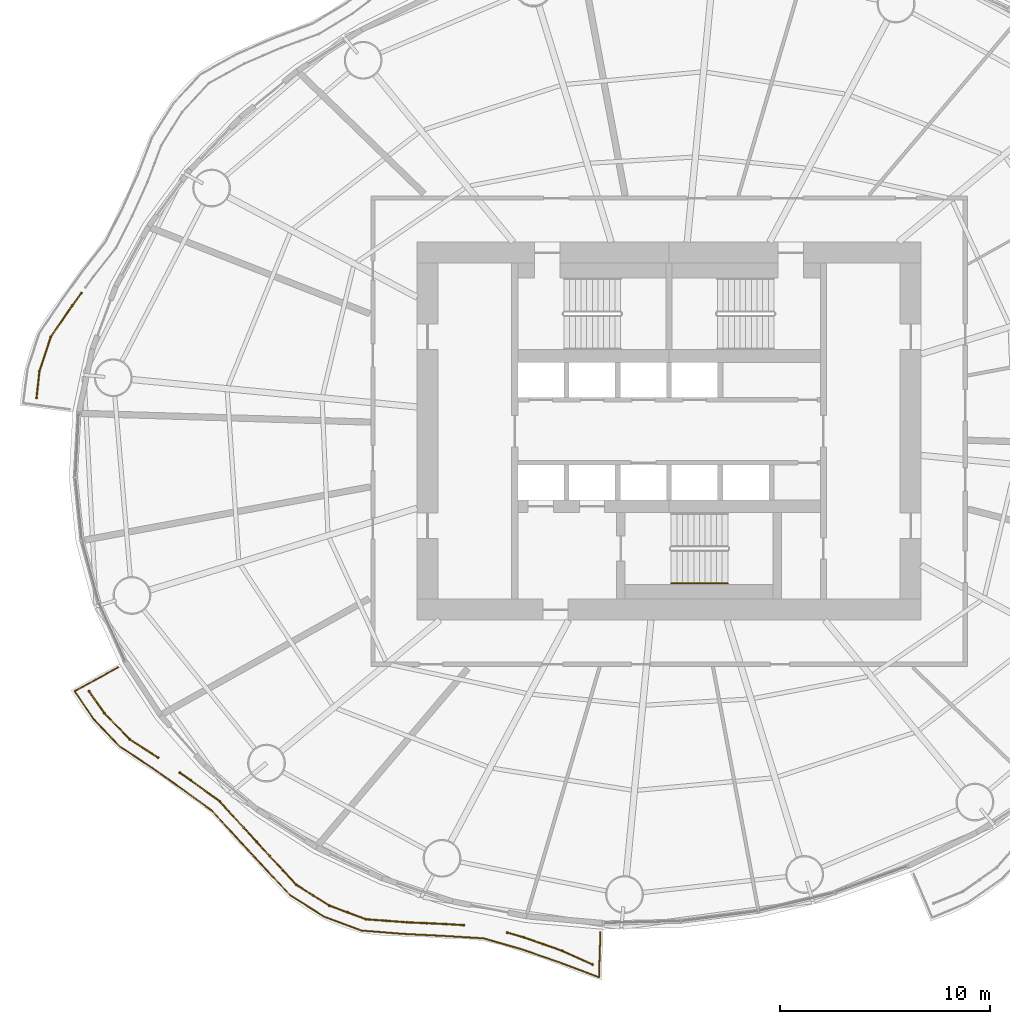
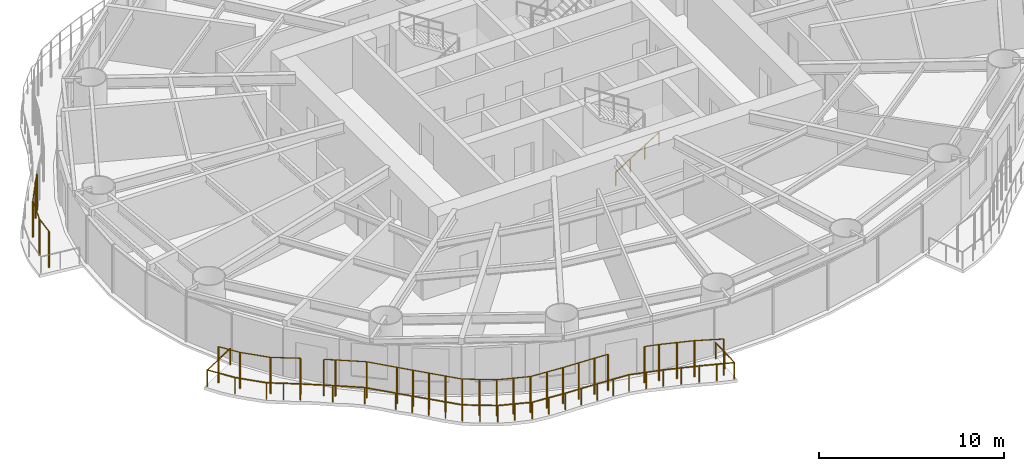
# One storey, part 12 of 17: 6 railings.
"""IFC4 building model written with IfcOpenShell, lengths in metres."""

from ifc_helpers import new_model, si_unit, direction, frame, origin, origin_2d, place, context, subcontext, project, spatial, circle, extrude, material, type_object, element, save


model = new_model("IFC4")

# Units and contexts
model_context = context("Model", 3, precision=1e-05, world=origin(), true_north=direction((0.0, 1.0)))
body_context = subcontext(model_context, "Body", "Model", "MODEL_VIEW")
ifc_project = project(units=[si_unit("LENGTHUNIT", "METRE"), si_unit("AREAUNIT", "SQUARE_METRE"), si_unit("VOLUMEUNIT", "CUBIC_METRE"), si_unit("PLANEANGLEUNIT", "RADIAN"), si_unit("MASSUNIT", "GRAM", prefix="KILO")], contexts=[model_context])

# Site, building, storey
site_placement = place(None, origin())
site = spatial("IfcSite", under=ifc_project, at=site_placement, CompositionType="ELEMENT")
building_placement = place(site_placement, origin())
building = spatial("IfcBuilding", under=site, at=building_placement, Name="Vermilion Reach Broadcast Tower", CompositionType="ELEMENT")
storey_placement = place(building_placement, frame((0.0, 0.0, 76.699951171875)))
storey = spatial("IfcBuildingStorey", under=building, at=storey_placement, Name="L16", CompositionType="ELEMENT", Elevation=76.699951171875)

# Railings
ifc_material_1 = material(Name="Terracotta baguette", Category="masonry")
railing_type_1 = type_object("IfcRailingType", Name="BAGUETTE SCREEN", PredefinedType="USERDEFINED", material=ifc_material_1)
railing_1_placement = place(storey_placement, frame((-33.982177734375, 6.573486328125, 0.0)))
element("IfcRailing", 1, at=railing_1_placement, inside=storey, type_object=railing_type_1, Name="Baguette screen L16 group 2 part 2", ObjectType="BAGUETTE SCREEN", PredefinedType="USERDEFINED", context=body_context, shape_type="SweptSolid", body=[
    extrude(circle(Radius=0.030029296875, at=origin_2d()), frame((0.0, 0.0, 2.369873046875), z_axis=(-0.588751770533, -0.808313894903, 0.0), x_axis=(0.808313894903, -0.588751770533, 0.0)), (0.0, 0.0, 1.0), 0.75048828125),
    extrude(circle(Radius=0.030029296875, at=origin_2d()), frame((-0.44189453125, -0.606689453125, 2.369873046875), z_axis=(-0.5656287129, -0.8246600264, 0.0), x_axis=(0.8246600264, -0.5656287129, 0.0)), (0.0, 0.0, 1.0), 1.79638671875),
    extrude(circle(Radius=0.030029296875, at=origin_2d()), frame((-1.4580078125, -2.088134765625, 2.369873046875), z_axis=(-0.312307035395, -0.949981218574, 0.0), x_axis=(0.949981218574, -0.312307035395, 0.0)), (0.0, 0.0, 1.0), 1.7197265625),
    extrude(circle(Radius=0.030029296875, at=origin_2d()), frame((-1.9951171875, -3.721923828125, 2.369873046875), z_axis=(-0.108708860674, -0.99407363088, 0.0), x_axis=(0.99407363088, -0.108708860674, 0.0)), (0.0, 0.0, 1.0), 1.275634765625),
    extrude(circle(Radius=0.050048828125, at=origin_2d()), origin(), (0.0, 0.0, 1.0), 2.33984375),
    extrude(circle(Radius=0.050048828125, at=origin_2d()), frame((-0.44189453125, -0.606689453125, 0.0)), (0.0, 0.0, 1.0), 2.33984375),
    extrude(circle(Radius=0.050048828125, at=origin_2d()), frame((-1.4580078125, -2.088134765625, 0.0)), (0.0, 0.0, 1.0), 2.33984375),
    extrude(circle(Radius=0.050048828125, at=origin_2d()), frame((-1.9951171875, -3.721923828125, 0.0)), (0.0, 0.0, 1.0), 2.33984375),
    extrude(circle(Radius=0.050048828125, at=origin_2d()), frame((-2.1337890625, -4.989990234375, 0.0)), (0.0, 0.0, 1.0), 2.33984375),
])
railing_2_placement = place(storey_placement, frame((-33.616455078125, -12.3798828125, 0.0)))
element("IfcRailing", 2, at=railing_2_placement, inside=storey, type_object=railing_type_1, Name="Baguette screen L16 group 3 part 1", ObjectType="BAGUETTE SCREEN", PredefinedType="USERDEFINED", context=body_context, shape_type="SweptSolid", body=[
    extrude(circle(Radius=0.030029296875, at=origin_2d()), frame((0.0, 0.0, 2.369873046875), z_axis=(0.572641620262, -0.819805815266, 0.0), x_axis=(0.819805815266, 0.572641620262, 0.0)), (0.0, 0.0, 1.0), 1.278076171875),
    extrude(circle(Radius=0.030029296875, at=origin_2d()), frame((0.73193359375, -1.0478515625, 2.369873046875), z_axis=(0.694836822785, -0.719167428143, 0.0), x_axis=(0.719167428143, 0.694836822785, 0.0)), (0.0, 0.0, 1.0), 1.725830078125),
    extrude(circle(Radius=0.030029296875, at=origin_2d()), frame((1.93115234375, -2.2890625, 2.369873046875), z_axis=(0.840316668668, -0.542095836876, 0.0), x_axis=(0.542095836876, 0.840316668668, 0.0)), (0.0, 0.0, 1.0), 1.61279296875),
    extrude(circle(Radius=0.050048828125, at=origin_2d()), origin(), (0.0, 0.0, 1.0), 2.33984375),
    extrude(circle(Radius=0.050048828125, at=origin_2d()), frame((0.73193359375, -1.0478515625, 0.0)), (0.0, 0.0, 1.0), 2.33984375),
    extrude(circle(Radius=0.050048828125, at=origin_2d()), frame((1.93115234375, -2.2890625, 0.0)), (0.0, 0.0, 1.0), 2.33984375),
    extrude(circle(Radius=0.050048828125, at=origin_2d()), frame((3.286376953125, -3.163330078125, 0.0)), (0.0, 0.0, 1.0), 2.33984375),
])
railing_3_placement = place(storey_placement, frame((-29.292724609375, -16.260986328125, 0.0)))
element("IfcRailing", 3, at=railing_3_placement, inside=storey, type_object=railing_type_1, Name="Baguette screen L16 group 3 part 2", ObjectType="BAGUETTE SCREEN", PredefinedType="USERDEFINED", context=body_context, shape_type="SweptSolid", body=[
    extrude(circle(Radius=0.030029296875, at=origin_2d()), frame((0.0, 0.0, 2.369873046875), z_axis=(0.819250221702, -0.573436198928, 0.0), x_axis=(0.573436198928, 0.819250221702, 0.0)), (0.0, 0.0, 1.0), 0.626708984375),
    extrude(circle(Radius=0.030029296875, at=origin_2d()), frame((0.513427734375, -0.359375, 2.369873046875), z_axis=(0.809484556963, -0.587141168748, 0.0), x_axis=(0.587141168748, 0.809484556963, 0.0)), (0.0, 0.0, 1.0), 1.705322265625),
    extrude(circle(Radius=0.030029296875, at=origin_2d()), frame((1.893798828125, -1.360595703125, 2.369873046875), z_axis=(0.673308870156, -0.739361322608, 0.0), x_axis=(0.739361322608, 0.673308870156, 0.0)), (0.0, 0.0, 1.0), 1.71875),
    extrude(circle(Radius=0.030029296875, at=origin_2d()), frame((3.051025390625, -2.63134765625, 2.369873046875), z_axis=(0.675474172615, -0.737383646503, 0.0), x_axis=(0.737383646503, 0.675474172615, 0.0)), (0.0, 0.0, 1.0), 1.81005859375),
    extrude(circle(Radius=0.030029296875, at=origin_2d()), frame((4.273681640625, -3.966064453125, 2.369873046875), z_axis=(0.679121232184, -0.734026124873, 0.0), x_axis=(0.734026124873, 0.679121232184, 0.0)), (0.0, 0.0, 1.0), 1.86767578125),
    extrude(circle(Radius=0.030029296875, at=origin_2d()), frame((5.5419921875, -5.3369140625, 2.369873046875), z_axis=(0.846427430177, -0.532504089603, 0.0), x_axis=(0.532504089603, 0.846427430177, 0.0)), (0.0, 0.0, 1.0), 1.8642578125),
    extrude(circle(Radius=0.030029296875, at=origin_2d()), frame((7.119873046875, -6.32958984375, 2.369873046875), z_axis=(0.937008671562, -0.349306097023, 0.0), x_axis=(0.349306097023, 0.937008671562, 0.0)), (0.0, 0.0, 1.0), 1.855712890625),
    extrude(circle(Radius=0.030029296875, at=origin_2d()), frame((8.858642578125, -6.977783203125, 2.369873046875), z_axis=(0.997196504836, -0.074827339541, 0.0), x_axis=(0.074827339541, 0.997196504836, 0.0)), (0.0, 0.0, 1.0), 1.94775390625),
    extrude(circle(Radius=0.030029296875, at=origin_2d()), frame((10.801025390625, -7.12353515625, 2.369873046875), z_axis=(0.998986752856, -0.045005195456, 0.0), x_axis=(0.045005195456, 0.998986752856, 0.0)), (0.0, 0.0, 1.0), 1.898681640625),
    extrude(circle(Radius=0.030029296875, at=origin_2d()), frame((12.69775390625, -7.208984375, 2.369873046875), z_axis=(0.998294748437, -0.058374611292, 0.0), x_axis=(0.058374611292, 0.998294748437, 0.0)), (0.0, 0.0, 1.0), 0.823974609375),
    extrude(circle(Radius=0.050048828125, at=origin_2d()), origin(), (0.0, 0.0, 1.0), 2.33984375),
    extrude(circle(Radius=0.050048828125, at=origin_2d()), frame((0.513427734375, -0.359375, 0.0)), (0.0, 0.0, 1.0), 2.33984375),
    extrude(circle(Radius=0.050048828125, at=origin_2d()), frame((1.893798828125, -1.360595703125, 0.0)), (0.0, 0.0, 1.0), 2.33984375),
    extrude(circle(Radius=0.050048828125, at=origin_2d()), frame((3.051025390625, -2.63134765625, 0.0)), (0.0, 0.0, 1.0), 2.33984375),
    extrude(circle(Radius=0.050048828125, at=origin_2d()), frame((3.662353515625, -3.298828125, 0.0)), (0.0, 0.0, 1.0), 2.33984375),
    extrude(circle(Radius=0.050048828125, at=origin_2d()), frame((4.273681640625, -3.966064453125, 0.0)), (0.0, 0.0, 1.0), 2.33984375),
    extrude(circle(Radius=0.050048828125, at=origin_2d()), frame((4.90771484375, -4.6513671875, 0.0)), (0.0, 0.0, 1.0), 2.33984375),
    extrude(circle(Radius=0.050048828125, at=origin_2d()), frame((5.5419921875, -5.3369140625, 0.0)), (0.0, 0.0, 1.0), 2.33984375),
    extrude(circle(Radius=0.050048828125, at=origin_2d()), frame((6.3310546875, -5.833251953125, 0.0)), (0.0, 0.0, 1.0), 2.33984375),
    extrude(circle(Radius=0.050048828125, at=origin_2d()), frame((7.119873046875, -6.32958984375, 0.0)), (0.0, 0.0, 1.0), 2.33984375),
    extrude(circle(Radius=0.050048828125, at=origin_2d()), frame((7.9892578125, -6.65380859375, 0.0)), (0.0, 0.0, 1.0), 2.33984375),
    extrude(circle(Radius=0.050048828125, at=origin_2d()), frame((8.858642578125, -6.977783203125, 0.0)), (0.0, 0.0, 1.0), 2.33984375),
    extrude(circle(Radius=0.050048828125, at=origin_2d()), frame((9.829833984375, -7.05078125, 0.0)), (0.0, 0.0, 1.0), 2.33984375),
    extrude(circle(Radius=0.050048828125, at=origin_2d()), frame((10.801025390625, -7.12353515625, 0.0)), (0.0, 0.0, 1.0), 2.33984375),
    extrude(circle(Radius=0.050048828125, at=origin_2d()), frame((11.74951171875, -7.166259765625, 0.0)), (0.0, 0.0, 1.0), 2.33984375),
    extrude(circle(Radius=0.050048828125, at=origin_2d()), frame((12.69775390625, -7.208984375, 0.0)), (0.0, 0.0, 1.0), 2.33984375),
    extrude(circle(Radius=0.050048828125, at=origin_2d()), frame((13.520263671875, -7.257080078125, 0.0)), (0.0, 0.0, 1.0), 2.33984375),
])
railing_4_placement = place(storey_placement, frame((-13.70166015625, -23.872314453125, 0.0)))
element("IfcRailing", 4, at=railing_4_placement, inside=storey, type_object=railing_type_1, Name="Baguette screen L16 group 3 part 3", ObjectType="BAGUETTE SCREEN", PredefinedType="USERDEFINED", context=body_context, shape_type="SweptSolid", body=[
    extrude(circle(Radius=0.030029296875, at=origin_2d()), frame((0.0, 0.0, 2.369873046875), z_axis=(0.960712397231, -0.277545833704, 0.0), x_axis=(0.277545833704, 0.960712397231, 0.0)), (0.0, 0.0, 1.0), 0.81005859375),
    extrude(circle(Radius=0.030029296875, at=origin_2d()), frame((0.7783203125, -0.224853515625, 2.369873046875), z_axis=(0.943484505541, -0.331416637791, 0.0), x_axis=(0.331416637791, 0.943484505541, 0.0)), (0.0, 0.0, 1.0), 1.94775390625),
    extrude(circle(Radius=0.030029296875, at=origin_2d()), frame((2.615966796875, -0.870361328125, 2.369873046875), z_axis=(0.911348161786, -0.411636402678, 0.0), x_axis=(0.411636402678, 0.911348161786, 0.0)), (0.0, 0.0, 1.0), 1.580078125),
    extrude(circle(Radius=0.050048828125, at=origin_2d()), origin(), (0.0, 0.0, 1.0), 2.33984375),
    extrude(circle(Radius=0.050048828125, at=origin_2d()), frame((0.7783203125, -0.224853515625, 0.0)), (0.0, 0.0, 1.0), 2.33984375),
    extrude(circle(Radius=0.050048828125, at=origin_2d()), frame((1.697265625, -0.547607421875, 0.0)), (0.0, 0.0, 1.0), 2.33984375),
    extrude(circle(Radius=0.050048828125, at=origin_2d()), frame((2.615966796875, -0.870361328125, 0.0)), (0.0, 0.0, 1.0), 2.33984375),
    extrude(circle(Radius=0.050048828125, at=origin_2d()), frame((4.055908203125, -1.520751953125, 0.0)), (0.0, 0.0, 1.0), 2.33984375),
])
ifc_material_2 = material(Name="Stainless steel 316 balustrade", Category="steel")
railing_type_2 = type_object("IfcRailingType", Name="Balcony guard 1100", PredefinedType="BALUSTRADE", material=ifc_material_2)
railing_5_placement = place(storey_placement, frame((-32.23046875, -11.248291015625, 0.0)))
element("IfcRailing", 5, at=railing_5_placement, inside=storey, type_object=railing_type_2, Name="Balcony guard L16 group 3", PredefinedType="BALUSTRADE", context=body_context, shape_type="SweptSolid", body=[
    extrude(circle(Radius=0.02490234375, at=origin_2d()), frame((0.0, 0.0, 1.0751953125), z_axis=(-0.877694240648, -0.479221055394, 0.0), x_axis=(0.479221055394, -0.877694240648, 0.0)), (0.0, 0.0, 1.0), 2.3642578125),
    extrude(circle(Radius=0.02490234375, at=origin_2d()), frame((-2.0751953125, -1.133056640625, 1.0751953125), z_axis=(0.565763731461, -0.824567401832, 0.0), x_axis=(0.824567401832, 0.565763731461, 0.0)), (0.0, 0.0, 1.0), 1.65283203125),
    extrude(circle(Radius=0.02490234375, at=origin_2d()), frame((-1.14013671875, -2.495849609375, 1.0751953125), z_axis=(0.692112201365, -0.721789928388, 0.0), x_axis=(0.721789928388, 0.692112201365, 0.0)), (0.0, 0.0, 1.0), 1.7685546875),
    extrude(circle(Radius=0.02490234375, at=origin_2d()), frame((0.083984375, -3.7724609375, 1.0751953125), z_axis=(0.836404346355, -0.54811291665, 0.0), x_axis=(0.54811291665, 0.836404346355, 0.0)), (0.0, 0.0, 1.0), 1.835205078125),
    extrude(circle(Radius=0.02490234375, at=origin_2d()), frame((1.618896484375, -4.7783203125, 1.0751953125), z_axis=(0.816630860446, -0.577160322413, 0.0), x_axis=(0.577160322413, 0.816630860446, 0.0)), (0.0, 0.0, 1.0), 1.747314453125),
    extrude(circle(Radius=0.02490234375, at=origin_2d()), frame((3.0458984375, -5.786865234375, 1.0751953125), z_axis=(0.807931262746, -0.589276738619, 0.0), x_axis=(0.589276738619, 0.807931262746, 0.0)), (0.0, 0.0, 1.0), 1.746337890625),
    extrude(circle(Radius=0.02490234375, at=origin_2d()), frame((4.456787109375, -6.81591796875, 1.0751953125), z_axis=(0.676032773162, -0.736871555707, 0.0), x_axis=(0.736871555707, 0.676032773162, 0.0)), (0.0, 0.0, 1.0), 1.757568359375),
    extrude(circle(Radius=0.02490234375, at=origin_2d()), frame((5.64501953125, -8.111083984375, 1.0751953125), z_axis=(0.678888904521, -0.73424100629, 0.0), x_axis=(0.73424100629, 0.678888904521, 0.0)), (0.0, 0.0, 1.0), 1.84814453125),
    extrude(circle(Radius=0.02490234375, at=origin_2d()), frame((6.899658203125, -9.468017578125, 1.0751953125), z_axis=(0.683240985892, -0.73019295751, 0.0), x_axis=(0.73019295751, 0.683240985892, 0.0)), (0.0, 0.0, 1.0), 1.903076171875),
    extrude(circle(Radius=0.02490234375, at=origin_2d()), frame((8.199951171875, -10.857666015625, 1.0751953125), z_axis=(0.847326758732, -0.531071900911, 0.0), x_axis=(0.531071900911, 0.847326758732, 0.0)), (0.0, 0.0, 1.0), 1.9013671875),
    extrude(circle(Radius=0.02490234375, at=origin_2d()), frame((9.81103515625, -11.867431640625, 1.0751953125), z_axis=(0.936710602126, -0.350104624168, 0.0), x_axis=(0.350104624168, 0.936710602126, 0.0)), (0.0, 0.0, 1.0), 1.89111328125),
    extrude(circle(Radius=0.02490234375, at=origin_2d()), frame((11.58251953125, -12.529541015625, 1.0751953125), z_axis=(0.996828582141, -0.079578752356, 0.0), x_axis=(0.079578752356, 0.996828582141, 0.0)), (0.0, 0.0, 1.0), 1.98193359375),
    extrude(circle(Radius=0.02490234375, at=origin_2d()), frame((13.55810546875, -12.687255859375, 1.0751953125), z_axis=(0.998784589669, -0.049288370235, 0.0), x_axis=(0.049288370235, 0.998784589669, 0.0)), (0.0, 0.0, 1.0), 1.931884765625),
    extrude(circle(Radius=0.02490234375, at=origin_2d()), frame((15.487548828125, -12.782470703125, 1.0751953125), z_axis=(0.998115470488, -0.061363731732, 0.0), x_axis=(0.061363731732, 0.998115470488, 0.0)), (0.0, 0.0, 1.0), 1.917724609375),
    extrude(circle(Radius=0.02490234375, at=origin_2d()), frame((17.401611328125, -12.900146484375, 1.0751953125), z_axis=(0.961256273356, -0.275656265906, 0.0), x_axis=(0.275656265906, 0.961256273356, 0.0)), (0.0, 0.0, 1.0), 1.896240234375),
    extrude(circle(Radius=0.02490234375, at=origin_2d()), frame((19.224365234375, -13.4228515625, 1.0751953125), z_axis=(0.944663048819, -0.328042259773, 0.0), x_axis=(0.328042259773, 0.944663048819, 0.0)), (0.0, 0.0, 1.0), 1.979736328125),
    extrude(circle(Radius=0.02490234375, at=origin_2d()), frame((21.094482421875, -14.072265625, 1.0751953125), z_axis=(0.935335040297, -0.353763144479, 0.0), x_axis=(0.353763144479, 0.935335040297, 0.0)), (0.0, 0.0, 1.0), 1.9248046875),
    extrude(circle(Radius=0.02490234375, at=origin_2d()), frame((22.894775390625, -14.753173828125, 1.0751953125), z_axis=(0.032094593908, 0.999484835824, 0.0), x_axis=(-0.999484835824, 0.032094593908, 0.0)), (0.0, 0.0, 1.0), 2.145263671875),
    extrude(circle(Radius=0.02490234375, at=origin_2d()), origin(), (0.0, 0.0, 1.0), 1.050048828125),
    extrude(circle(Radius=0.02490234375, at=origin_2d()), frame((-1.03759765625, -0.56640625, 0.0)), (0.0, 0.0, 1.0), 1.050048828125),
    extrude(circle(Radius=0.02490234375, at=origin_2d()), frame((-2.0751953125, -1.133056640625, 0.0)), (0.0, 0.0, 1.0), 1.050048828125),
    extrude(circle(Radius=0.02490234375, at=origin_2d()), frame((-1.14013671875, -2.495849609375, 0.0)), (0.0, 0.0, 1.0), 1.050048828125),
    extrude(circle(Radius=0.02490234375, at=origin_2d()), frame((0.083984375, -3.7724609375, 0.0)), (0.0, 0.0, 1.0), 1.050048828125),
    extrude(circle(Radius=0.02490234375, at=origin_2d()), frame((0.8515625, -4.275390625, 0.0)), (0.0, 0.0, 1.0), 1.050048828125),
    extrude(circle(Radius=0.02490234375, at=origin_2d()), frame((1.618896484375, -4.7783203125, 0.0)), (0.0, 0.0, 1.0), 1.050048828125),
    extrude(circle(Radius=0.02490234375, at=origin_2d()), frame((3.0458984375, -5.786865234375, 0.0)), (0.0, 0.0, 1.0), 1.050048828125),
    extrude(circle(Radius=0.02490234375, at=origin_2d()), frame((4.456787109375, -6.81591796875, 0.0)), (0.0, 0.0, 1.0), 1.050048828125),
    extrude(circle(Radius=0.02490234375, at=origin_2d()), frame((5.64501953125, -8.111083984375, 0.0)), (0.0, 0.0, 1.0), 1.050048828125),
    extrude(circle(Radius=0.02490234375, at=origin_2d()), frame((6.2724609375, -8.78955078125, 0.0)), (0.0, 0.0, 1.0), 1.050048828125),
    extrude(circle(Radius=0.02490234375, at=origin_2d()), frame((6.899658203125, -9.468017578125, 0.0)), (0.0, 0.0, 1.0), 1.050048828125),
    extrude(circle(Radius=0.02490234375, at=origin_2d()), frame((7.5498046875, -10.162841796875, 0.0)), (0.0, 0.0, 1.0), 1.050048828125),
    extrude(circle(Radius=0.02490234375, at=origin_2d()), frame((8.199951171875, -10.857666015625, 0.0)), (0.0, 0.0, 1.0), 1.050048828125),
    extrude(circle(Radius=0.02490234375, at=origin_2d()), frame((9.00537109375, -11.362548828125, 0.0)), (0.0, 0.0, 1.0), 1.050048828125),
    extrude(circle(Radius=0.02490234375, at=origin_2d()), frame((9.81103515625, -11.867431640625, 0.0)), (0.0, 0.0, 1.0), 1.050048828125),
    extrude(circle(Radius=0.02490234375, at=origin_2d()), frame((10.69677734375, -12.198486328125, 0.0)), (0.0, 0.0, 1.0), 1.050048828125),
    extrude(circle(Radius=0.02490234375, at=origin_2d()), frame((11.58251953125, -12.529541015625, 0.0)), (0.0, 0.0, 1.0), 1.050048828125),
    extrude(circle(Radius=0.02490234375, at=origin_2d()), frame((12.5703125, -12.6083984375, 0.0)), (0.0, 0.0, 1.0), 1.050048828125),
    extrude(circle(Radius=0.02490234375, at=origin_2d()), frame((13.55810546875, -12.687255859375, 0.0)), (0.0, 0.0, 1.0), 1.050048828125),
    extrude(circle(Radius=0.02490234375, at=origin_2d()), frame((14.52294921875, -12.73486328125, 0.0)), (0.0, 0.0, 1.0), 1.050048828125),
    extrude(circle(Radius=0.02490234375, at=origin_2d()), frame((15.487548828125, -12.782470703125, 0.0)), (0.0, 0.0, 1.0), 1.050048828125),
    extrude(circle(Radius=0.02490234375, at=origin_2d()), frame((16.444580078125, -12.84130859375, 0.0)), (0.0, 0.0, 1.0), 1.050048828125),
    extrude(circle(Radius=0.02490234375, at=origin_2d()), frame((17.401611328125, -12.900146484375, 0.0)), (0.0, 0.0, 1.0), 1.050048828125),
    extrude(circle(Radius=0.02490234375, at=origin_2d()), frame((18.31298828125, -13.16162109375, 0.0)), (0.0, 0.0, 1.0), 1.050048828125),
    extrude(circle(Radius=0.02490234375, at=origin_2d()), frame((19.224365234375, -13.4228515625, 0.0)), (0.0, 0.0, 1.0), 1.050048828125),
    extrude(circle(Radius=0.02490234375, at=origin_2d()), frame((20.159423828125, -13.74755859375, 0.0)), (0.0, 0.0, 1.0), 1.050048828125),
    extrude(circle(Radius=0.02490234375, at=origin_2d()), frame((21.094482421875, -14.072265625, 0.0)), (0.0, 0.0, 1.0), 1.050048828125),
    extrude(circle(Radius=0.02490234375, at=origin_2d()), frame((21.99462890625, -14.41259765625, 0.0)), (0.0, 0.0, 1.0), 1.050048828125),
    extrude(circle(Radius=0.02490234375, at=origin_2d()), frame((22.894775390625, -14.753173828125, 0.0)), (0.0, 0.0, 1.0), 1.050048828125),
    extrude(circle(Radius=0.02490234375, at=origin_2d()), frame((22.92919921875, -13.68115234375, 0.0)), (0.0, 0.0, 1.0), 1.050048828125),
    extrude(circle(Radius=0.02490234375, at=origin_2d()), frame((22.963623046875, -12.609130859375, 0.0)), (0.0, 0.0, 1.0), 1.050048828125),
])
ifc_material_3 = material(Name="Stainless steel", Category="steel")
railing_type_3 = type_object("IfcRailingType", Name="Stair handrail", PredefinedType="HANDRAIL", material=ifc_material_3)
railing_6_placement = place(storey_placement, frame((-5.89990234375, -7.25, 0.168212890625)))
element("IfcRailing", 6, at=railing_6_placement, inside=storey, type_object=railing_type_3, Name="L16 ST3 stair handrail 1", PredefinedType="HANDRAIL", context=body_context, shape_type="SweptSolid", body=[
    extrude(circle(Radius=0.02392578125, at=origin_2d()), frame((0.0, 0.0, 0.8759765625), z_axis=(0.848786430784, 0.0, 0.528735846068), x_axis=(0.0, 1.0, 0.0)), (0.0, 0.0, 1.0), 3.180908203125),
    extrude(circle(Radius=0.02099609375, at=origin_2d()), origin(), (0.0, 0.0, 1.0), 0.851806640625),
    extrude(circle(Radius=0.02099609375, at=origin_2d()), frame((0.89990234375, 0.0, 0.560546875)), (0.0, 0.0, 1.0), 0.851806640625),
    extrude(circle(Radius=0.02099609375, at=origin_2d()), frame((1.800048828125, 0.0, 1.121337890625)), (0.0, 0.0, 1.0), 0.851806640625),
    extrude(circle(Radius=0.02099609375, at=origin_2d()), frame((2.699951171875, 0.0, 1.681884765625)), (0.0, 0.0, 1.0), 0.851806640625),
])

save(model, "model.ifc")
